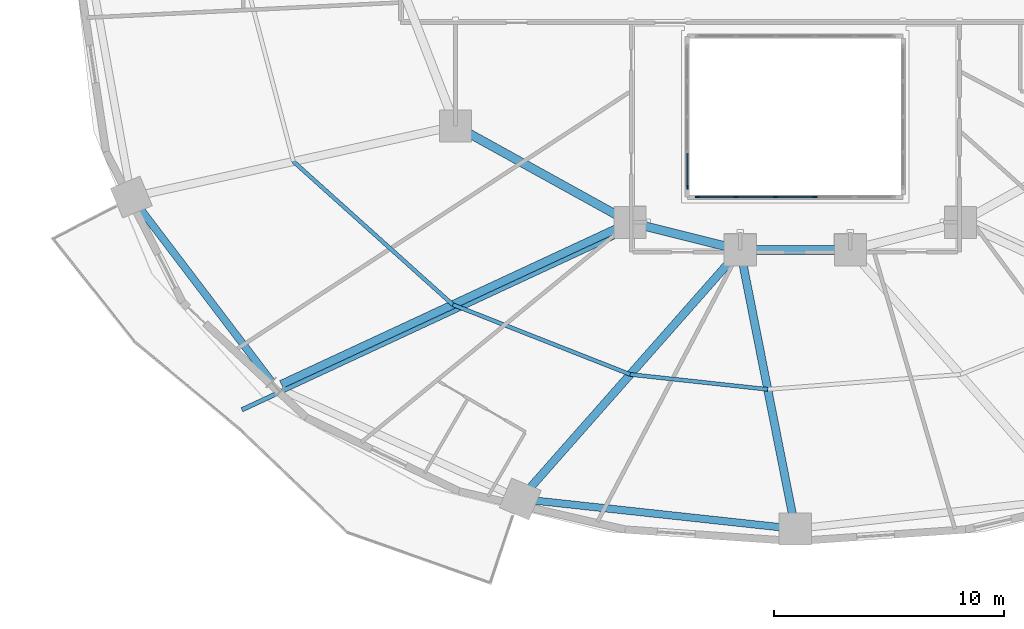
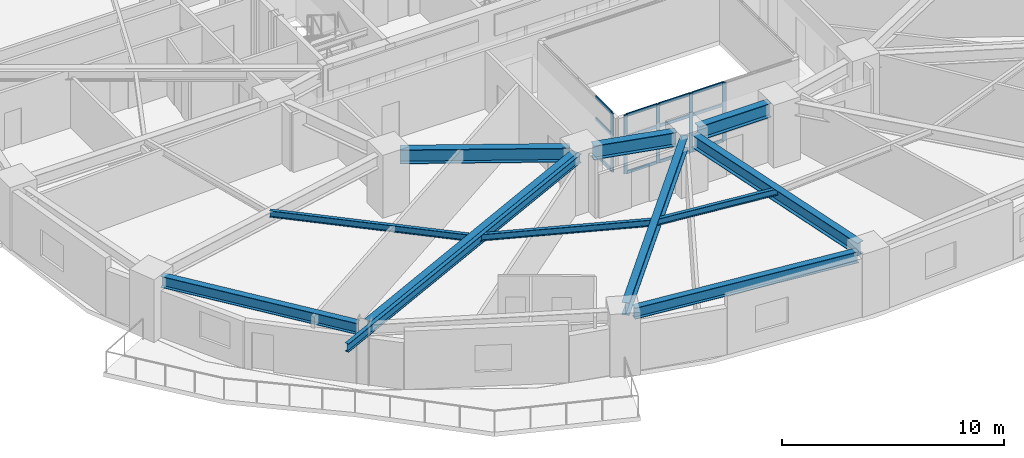
# One storey, part 3 of 17: 17 members, 12 beams, 2 elements without a shape of their own.
"""IFC4 building model written with IfcOpenShell, lengths in metres."""

from ifc_helpers import new_model, si_unit, direction, frame, origin, origin_2d, place, context, subcontext, project, spatial, rectangle, i_section, extrude, material, material_profile, profile_set, type_object, element, aggregate, save


model = new_model("IFC4")

# Units and contexts
model_context = context("Model", 3, precision=1e-05, world=origin(), true_north=direction((0.0, 1.0)))
body_context = subcontext(model_context, "Body", "Model", "MODEL_VIEW")
ifc_project = project(units=[si_unit("LENGTHUNIT", "METRE"), si_unit("AREAUNIT", "SQUARE_METRE"), si_unit("VOLUMEUNIT", "CUBIC_METRE"), si_unit("PLANEANGLEUNIT", "RADIAN"), si_unit("MASSUNIT", "GRAM", prefix="KILO")], contexts=[model_context])

# Site, building, storey
site_placement = place(None, origin())
site = spatial("IfcSite", under=ifc_project, at=site_placement, CompositionType="ELEMENT")
building_placement = place(site_placement, origin())
building = spatial("IfcBuilding", under=site, at=building_placement, Name="Haldorwick Loom Tower", CompositionType="ELEMENT")
storey_placement = place(building_placement, frame((0.0, 0.0, 61.949951171875)))
storey = spatial("IfcBuildingStorey", under=building, at=storey_placement, Name="L16", CompositionType="ELEMENT", Elevation=61.949951171875)

# Curtain wall, members
ifc_material_1 = material(Name="Thermally Broken Anodized Aluminium Curtain Wall Framing", Category="aluminium")
curtain_wall_type = type_object("IfcCurtainWallType", Name="ARC-CW-03", PredefinedType="NOTDEFINED", material=ifc_material_1)
curtain_wall_1_placement = place(storey_placement, origin())
curtain_wall_1 = element("IfcCurtainWall", 1, at=curtain_wall_1_placement, inside=storey, type_object=curtain_wall_type, Name="L16 Atrium Glazed Screen S", PredefinedType="NOTDEFINED")
ifc_material_profile_1 = material_profile(ifc_material_1, rectangle(XDim=0.06591796875, YDim=0.18505859375, at=origin_2d()), Name="ALU_MUL_66X185", Category="aluminium")
ifc_profile_set_1 = profile_set([ifc_material_profile_1], Name="Thermally Broken Anodized Aluminium Curtain Wall Framing")
member_type_1 = type_object("IfcMemberType", Name="ARC-CWM-03", PredefinedType="MULLION", material=ifc_profile_set_1)
member_1_placement = place(storey_placement, frame((36.860107421875, 16.699951171875, 0.0), z_axis=(0.0, 0.0, 1.0), x_axis=(0.0, -1.0, 0.0)))
member_1 = element("IfcMember", 2, at=member_1_placement, type_object=member_type_1, Name="CW-03 mullion 3", PredefinedType="MULLION", context=body_context, shape_type="SweptSolid", body=[
    extrude(rectangle(XDim=0.06591796875, YDim=0.18505859375, at=origin_2d()), origin(), (0.0, 0.0, 1.0), 3.2099609375),
])
member_2_placement = place(storey_placement, frame((35.139892578125, 16.699951171875, 0.0), z_axis=(0.0, 0.0, 1.0), x_axis=(0.0, -1.0, 0.0)))
member_2 = element("IfcMember", 3, at=member_2_placement, type_object=member_type_1, Name="CW-03 mullion 4", PredefinedType="MULLION", context=body_context, shape_type="SweptSolid", body=[
    extrude(rectangle(XDim=0.06591796875, YDim=0.18505859375, at=origin_2d()), origin(), (0.0, 0.0, 1.0), 3.2099609375),
])
member_3_placement = place(storey_placement, frame((33.419921875, 16.699951171875, 0.0), z_axis=(0.0, 0.0, 1.0), x_axis=(0.0, -1.0, 0.0)))
member_3 = element("IfcMember", 4, at=member_3_placement, type_object=member_type_1, Name="CW-03 mullion 5", PredefinedType="MULLION", context=body_context, shape_type="SweptSolid", body=[
    extrude(rectangle(XDim=0.06591796875, YDim=0.18505859375, at=origin_2d()), origin(), (0.0, 0.0, 1.0), 3.2099609375),
])
member_4_placement = place(storey_placement, frame((31.73291015625, 16.699951171875, 0.0), z_axis=(0.0, 0.0, 1.0), x_axis=(0.0, -1.0, 0.0)))
member_4 = element("IfcMember", 5, at=member_4_placement, type_object=member_type_1, Name="CW-03 mullion 6", PredefinedType="MULLION", context=body_context, shape_type="SweptSolid", body=[
    extrude(rectangle(XDim=0.06591796875, YDim=0.18505859375, at=origin_2d()), origin(), (0.0, 0.0, 1.0), 3.2099609375),
])

# Curtain wall, member
curtain_wall_2_placement = place(storey_placement, origin())
curtain_wall_2 = element("IfcCurtainWall", 6, at=curtain_wall_2_placement, inside=storey, type_object=curtain_wall_type, Name="L16 Atrium Glazed Screen W", PredefinedType="NOTDEFINED")
member_5_placement = place(storey_placement, frame((31.300048828125, 17.133056640625, 0.0), z_axis=(0.0, 0.0, 1.0), x_axis=(-1.0, 0.0, 0.0)))
member_5 = element("IfcMember", 7, at=member_5_placement, type_object=member_type_1, Name="CW-03 mullion 1", PredefinedType="MULLION", context=body_context, shape_type="SweptSolid", body=[
    extrude(rectangle(XDim=0.06591796875, YDim=0.18505859375, at=origin_2d()), origin(), (0.0, 0.0, 1.0), 3.2099609375),
])

# Member
ifc_material_profile_2 = material_profile(ifc_material_1, rectangle(XDim=0.06591796875, YDim=0.1650390625, at=origin_2d()), Name="ALU_TRN_66X165", Category="aluminium")
ifc_profile_set_2 = profile_set([ifc_material_profile_2], Name="Thermally Broken Anodized Aluminium Curtain Wall Framing")
member_type_2 = type_object("IfcMemberType", Name="ARC-CWT-03", PredefinedType="USERDEFINED", material=ifc_profile_set_2)
member_6_placement = place(storey_placement, frame((36.826904296875, 16.699951171875, 0.032958984375), z_axis=(-1.0, 0.0, 0.0), x_axis=(0.0, -1.0, 0.0)))
member_6 = element("IfcMember", 8, at=member_6_placement, type_object=member_type_2, Name="CW-03 transom 3.1", ObjectType="TRANSOM", PredefinedType="USERDEFINED", context=body_context, shape_type="SweptSolid", body=[
    extrude(rectangle(XDim=0.06591796875, YDim=0.1650390625, at=origin_2d()), origin(), (0.0, 0.0, 1.0), 1.65380859375),
])

member_7_placement = place(storey_placement, frame((36.826904296875, 16.699951171875, 2.0), z_axis=(-1.0, 0.0, 0.0), x_axis=(0.0, -1.0, 0.0)))
member_7 = element("IfcMember", 9, at=member_7_placement, type_object=member_type_2, Name="CW-03 transom 3.2", ObjectType="TRANSOM", PredefinedType="USERDEFINED", context=body_context, shape_type="SweptSolid", body=[
    extrude(rectangle(XDim=0.06591796875, YDim=0.1650390625, at=origin_2d()), origin(), (0.0, 0.0, 1.0), 1.65380859375),
])

member_8_placement = place(storey_placement, frame((36.826904296875, 16.699951171875, 3.177001953125), z_axis=(-1.0, 0.0, 0.0), x_axis=(0.0, -1.0, 0.0)))
member_8 = element("IfcMember", 10, at=member_8_placement, type_object=member_type_2, Name="CW-03 transom 3.3", ObjectType="TRANSOM", PredefinedType="USERDEFINED", context=body_context, shape_type="SweptSolid", body=[
    extrude(rectangle(XDim=0.06591796875, YDim=0.1650390625, at=origin_2d()), origin(), (0.0, 0.0, 1.0), 1.65380859375),
])

member_9_placement = place(storey_placement, frame((35.10693359375, 16.699951171875, 0.032958984375), z_axis=(-1.0, 0.0, 0.0), x_axis=(0.0, -1.0, 0.0)))
member_9 = element("IfcMember", 11, at=member_9_placement, type_object=member_type_2, Name="CW-03 transom 4.1", ObjectType="TRANSOM", PredefinedType="USERDEFINED", context=body_context, shape_type="SweptSolid", body=[
    extrude(rectangle(XDim=0.06591796875, YDim=0.1650390625, at=origin_2d()), origin(), (0.0, 0.0, 1.0), 1.654052734375),
])

member_10_placement = place(storey_placement, frame((35.10693359375, 16.699951171875, 2.0), z_axis=(-1.0, 0.0, 0.0), x_axis=(0.0, -1.0, 0.0)))
member_10 = element("IfcMember", 12, at=member_10_placement, type_object=member_type_2, Name="CW-03 transom 4.2", ObjectType="TRANSOM", PredefinedType="USERDEFINED", context=body_context, shape_type="SweptSolid", body=[
    extrude(rectangle(XDim=0.06591796875, YDim=0.1650390625, at=origin_2d()), origin(), (0.0, 0.0, 1.0), 1.654052734375),
])

member_11_placement = place(storey_placement, frame((35.10693359375, 16.699951171875, 3.177001953125), z_axis=(-1.0, 0.0, 0.0), x_axis=(0.0, -1.0, 0.0)))
member_11 = element("IfcMember", 13, at=member_11_placement, type_object=member_type_2, Name="CW-03 transom 4.3", ObjectType="TRANSOM", PredefinedType="USERDEFINED", context=body_context, shape_type="SweptSolid", body=[
    extrude(rectangle(XDim=0.06591796875, YDim=0.1650390625, at=origin_2d()), origin(), (0.0, 0.0, 1.0), 1.654052734375),
])

member_12_placement = place(storey_placement, frame((33.386962890625, 16.699951171875, 0.032958984375), z_axis=(-1.0, 0.0, 0.0), x_axis=(0.0, -1.0, 0.0)))
member_12 = element("IfcMember", 14, at=member_12_placement, type_object=member_type_2, Name="CW-03 transom 5.1", ObjectType="TRANSOM", PredefinedType="USERDEFINED", context=body_context, shape_type="SweptSolid", body=[
    extrude(rectangle(XDim=0.06591796875, YDim=0.1650390625, at=origin_2d()), origin(), (0.0, 0.0, 1.0), 1.620849609375),
])

member_13_placement = place(storey_placement, frame((33.386962890625, 16.699951171875, 2.0), z_axis=(-1.0, 0.0, 0.0), x_axis=(0.0, -1.0, 0.0)))
member_13 = element("IfcMember", 15, at=member_13_placement, type_object=member_type_2, Name="CW-03 transom 5.2", ObjectType="TRANSOM", PredefinedType="USERDEFINED", context=body_context, shape_type="SweptSolid", body=[
    extrude(rectangle(XDim=0.06591796875, YDim=0.1650390625, at=origin_2d()), origin(), (0.0, 0.0, 1.0), 1.620849609375),
])

member_14_placement = place(storey_placement, frame((33.386962890625, 16.699951171875, 3.177001953125), z_axis=(-1.0, 0.0, 0.0), x_axis=(0.0, -1.0, 0.0)))
member_14 = element("IfcMember", 16, at=member_14_placement, type_object=member_type_2, Name="CW-03 transom 5.3", ObjectType="TRANSOM", PredefinedType="USERDEFINED", context=body_context, shape_type="SweptSolid", body=[
    extrude(rectangle(XDim=0.06591796875, YDim=0.1650390625, at=origin_2d()), origin(), (0.0, 0.0, 1.0), 1.620849609375),
])

aggregate(curtain_wall_1, [member_1, member_2, member_3, member_4, member_6, member_7, member_8, member_9, member_10, member_11, member_12, member_13, member_14])

member_15_placement = place(storey_placement, frame((31.300048828125, 17.166015625, 0.032958984375), z_axis=(0.0, 1.0, 0.0), x_axis=(-1.0, 0.0, 0.0)))
member_15 = element("IfcMember", 17, at=member_15_placement, type_object=member_type_2, Name="CW-03 transom 1.1", ObjectType="TRANSOM", PredefinedType="USERDEFINED", context=body_context, shape_type="SweptSolid", body=[
    extrude(rectangle(XDim=0.06591796875, YDim=0.1650390625, at=origin_2d()), origin(), (0.0, 0.0, 1.0), 1.450927734375),
])

member_16_placement = place(storey_placement, frame((31.300048828125, 17.166015625, 2.0), z_axis=(0.0, 1.0, 0.0), x_axis=(-1.0, 0.0, 0.0)))
member_16 = element("IfcMember", 18, at=member_16_placement, type_object=member_type_2, Name="CW-03 transom 1.2", ObjectType="TRANSOM", PredefinedType="USERDEFINED", context=body_context, shape_type="SweptSolid", body=[
    extrude(rectangle(XDim=0.06591796875, YDim=0.1650390625, at=origin_2d()), origin(), (0.0, 0.0, 1.0), 1.450927734375),
])

member_17_placement = place(storey_placement, frame((31.300048828125, 17.166015625, 3.177001953125), z_axis=(0.0, 1.0, 0.0), x_axis=(-1.0, 0.0, 0.0)))
member_17 = element("IfcMember", 19, at=member_17_placement, type_object=member_type_2, Name="CW-03 transom 1.3", ObjectType="TRANSOM", PredefinedType="USERDEFINED", context=body_context, shape_type="SweptSolid", body=[
    extrude(rectangle(XDim=0.06591796875, YDim=0.1650390625, at=origin_2d()), origin(), (0.0, 0.0, 1.0), 1.450927734375),
])

aggregate(curtain_wall_2, [member_5, member_15, member_16, member_17])

# Beams
ifc_material_2 = material(Name="Steel CSA G40.21 350W", Category="steel")
ifc_material_profile_3 = material_profile(ifc_material_2, i_section(OverallWidth=0.193115234375, OverallDepth=0.466064453125, WebThickness=0.011474609375, FlangeThickness=0.01904296875, at=origin_2d()), Name="W460X97", Category="steel")
ifc_profile_set_3 = profile_set([ifc_material_profile_3], Name="Steel CSA G40.21 350W")
beam_type_1 = type_object("IfcBeamType", Name="STR-BM-BAL460", PredefinedType="BEAM", material=ifc_profile_set_3)
beam_1_placement = place(storey_placement, frame((28.446533203125, 15.126953125, 2.97705078125), z_axis=(-0.906840784049, -0.421473359047, 0.0), x_axis=(0.421473359047, -0.906840784049, 0.0)))
element("IfcBeam", 20, at=beam_1_placement, inside=storey, type_object=beam_type_1, Name="L16 Continuous Back-Spanned Balcony Beam 2", PredefinedType="BEAM", context=body_context, shape_type="SweptSolid", body=[
    extrude(i_section(OverallWidth=0.193115234375, OverallDepth=0.466064453125, WebThickness=0.011474609375, FlangeThickness=0.01904296875, at=origin_2d()), origin(), (0.0, 0.0, 1.0), 18.245361328125),
])
ifc_material_profile_4 = material_profile(ifc_material_2, i_section(OverallWidth=0.172119140625, OverallDepth=0.35791015625, WebThickness=0.0078125, FlangeThickness=0.01318359375, at=origin_2d()), Name="W360X57", Category="steel")
ifc_profile_set_4 = profile_set([ifc_material_profile_4], Name="Steel CSA G40.21 350W")
beam_type_2 = type_object("IfcBeamType", Name="STR-BM-J360", PredefinedType="JOIST", material=ifc_profile_set_4)
beam_2_placement = place(storey_placement, frame((14.141357421875, 18.25048828125, 3.031005859375), z_axis=(0.743981830112, -0.668199847698, 0.0), x_axis=(0.668199847698, 0.743981830112, 0.0)))
element("IfcBeam", 21, at=beam_2_placement, inside=storey, type_object=beam_type_2, Name="L16 Mid-Bay Secondary Joist 10", PredefinedType="JOIST", context=body_context, shape_type="SweptSolid", body=[
    extrude(i_section(OverallWidth=0.172119140625, OverallDepth=0.35791015625, WebThickness=0.0078125, FlangeThickness=0.01318359375, at=origin_2d()), origin(), (0.0, 0.0, 1.0), 9.3330078125),
])
beam_3_placement = place(storey_placement, frame((21.0849609375, 12.01416015625, 3.031005859375), z_axis=(0.930584838237, -0.366076301941, 0.0), x_axis=(0.366076301941, 0.930584838237, 0.0)))
element("IfcBeam", 22, at=beam_3_placement, inside=storey, type_object=beam_type_2, Name="L16 Mid-Bay Secondary Joist 11", PredefinedType="JOIST", context=body_context, shape_type="SweptSolid", body=[
    extrude(i_section(OverallWidth=0.172119140625, OverallDepth=0.35791015625, WebThickness=0.0078125, FlangeThickness=0.01318359375, at=origin_2d()), origin(), (0.0, 0.0, 1.0), 8.302490234375),
])
beam_4_placement = place(storey_placement, frame((28.81103515625, 8.974853515625, 3.031005859375), z_axis=(0.994163660215, -0.107882420753, 0.0), x_axis=(0.107882420753, 0.994163660215, 0.0)))
element("IfcBeam", 23, at=beam_4_placement, inside=storey, type_object=beam_type_2, Name="L16 Mid-Bay Secondary Joist 12", PredefinedType="JOIST", context=body_context, shape_type="SweptSolid", body=[
    extrude(i_section(OverallWidth=0.172119140625, OverallDepth=0.35791015625, WebThickness=0.0078125, FlangeThickness=0.01318359375, at=origin_2d()), origin(), (0.0, 0.0, 1.0), 6.024169921875),
])
ifc_material_profile_5 = material_profile(ifc_material_2, i_section(OverallWidth=0.324951171875, OverallDepth=0.615966796875, WebThickness=0.013916015625, FlangeThickness=0.021484375, at=origin_2d()), Name="W610X174", Category="steel")
ifc_profile_set_5 = profile_set([ifc_material_profile_5], Name="Steel CSA G40.21 350W")
beam_type_3 = type_object("IfcBeamType", Name="STR-BM-SP610", PredefinedType="SPANDREL", material=ifc_profile_set_5)
beam_5_placement = place(storey_placement, frame((7.397216796875, 16.286865234375, 2.902099609375), z_axis=(0.605084557744, -0.796161213562, 0.0), x_axis=(0.796161213562, 0.605084557744, 0.0)))
element("IfcBeam", 24, at=beam_5_placement, inside=storey, type_object=beam_type_3, Name="L16 Perimeter Spandrel 10", PredefinedType="SPANDREL", context=body_context, shape_type="SweptSolid", body=[
    extrude(i_section(OverallWidth=0.324951171875, OverallDepth=0.615966796875, WebThickness=0.013916015625, FlangeThickness=0.021484375, at=origin_2d()), origin(), (0.0, 0.0, 1.0), 9.595703125),
])
beam_6_placement = place(storey_placement, frame((24.5390625, 3.49365234375, 2.902099609375), z_axis=(0.994164438636, -0.107875247167, 0.0), x_axis=(0.107875247167, 0.994164438636, 0.0)))
element("IfcBeam", 25, at=beam_6_placement, inside=storey, type_object=beam_type_3, Name="L16 Perimeter Spandrel 12", PredefinedType="SPANDREL", context=body_context, shape_type="SweptSolid", body=[
    extrude(i_section(OverallWidth=0.324951171875, OverallDepth=0.615966796875, WebThickness=0.013916015625, FlangeThickness=0.021484375, at=origin_2d()), origin(), (0.0, 0.0, 1.0), 11.008056640625),
])
ifc_material_profile_6 = material_profile(ifc_material_2, i_section(OverallWidth=0.35498046875, OverallDepth=0.695068359375, WebThickness=0.015380859375, FlangeThickness=0.02490234375, at=origin_2d()), Name="W690X217", Category="steel")
ifc_profile_set_6 = profile_set([ifc_material_profile_6], Name="Steel CSA G40.21 350W")
beam_type_4 = type_object("IfcBeamType", Name="STR-BM-W690", PredefinedType="BEAM", material=ifc_profile_set_6)
beam_7_placement = place(storey_placement, frame((28.328369140625, 15.380859375, 2.862548828125), z_axis=(-0.90683498532, -0.421485835349, 0.0), x_axis=(0.421485835349, -0.90683498532, 0.0)))
element("IfcBeam", 26, at=beam_7_placement, inside=storey, type_object=beam_type_4, Name="L16 Radial Floor Girder 11", PredefinedType="BEAM", context=body_context, shape_type="SweptSolid", body=[
    extrude(i_section(OverallWidth=0.35498046875, OverallDepth=0.695068359375, WebThickness=0.015380859375, FlangeThickness=0.02490234375, at=origin_2d()), origin(), (0.0, 0.0, 1.0), 16.220458984375),
])
beam_8_placement = place(storey_placement, frame((33.255859375, 14.01025390625, 2.862548828125), z_axis=(-0.661774304332, -0.749703121326, 0.0), x_axis=(0.749703121326, -0.661774304332, 0.0)))
element("IfcBeam", 27, at=beam_8_placement, inside=storey, type_object=beam_type_4, Name="L16 Radial Floor Girder 12", PredefinedType="BEAM", context=body_context, shape_type="SweptSolid", body=[
    extrude(i_section(OverallWidth=0.35498046875, OverallDepth=0.695068359375, WebThickness=0.015380859375, FlangeThickness=0.02490234375, at=origin_2d()), origin(), (0.0, 0.0, 1.0), 13.43310546875),
])
beam_9_placement = place(storey_placement, frame((33.70068359375, 13.889892578125, 2.862548828125), z_axis=(0.193785651115, -0.981043893729, 0.0), x_axis=(0.981043893729, 0.193785651115, 0.0)))
element("IfcBeam", 28, at=beam_9_placement, inside=storey, type_object=beam_type_4, Name="L16 Radial Floor Girder 13", PredefinedType="BEAM", context=body_context, shape_type="SweptSolid", body=[
    extrude(i_section(OverallWidth=0.35498046875, OverallDepth=0.695068359375, WebThickness=0.015380859375, FlangeThickness=0.02490234375, at=origin_2d()), origin(), (0.0, 0.0, 1.0), 11.344970703125),
])
ifc_material_profile_7 = material_profile(ifc_material_2, i_section(OverallWidth=0.381103515625, OverallDepth=0.77294921875, WebThickness=0.0166015625, FlangeThickness=0.027587890625, at=origin_2d()), Name="W760X257", Category="steel")
ifc_profile_set_7 = profile_set([ifc_material_profile_7], Name="Steel CSA G40.21 350W")
beam_type_5 = type_object("IfcBeamType", Name="STR-BM-W760", PredefinedType="BEAM", material=ifc_profile_set_7)
beam_10_placement = place(storey_placement, frame((37.8798828125, 14.39990234375, 2.823486328125), z_axis=(-1.0, 0.0, 0.0), x_axis=(0.0, -1.0, 0.0)))
element("IfcBeam", 29, at=beam_10_placement, inside=storey, type_object=beam_type_5, Name="L16 Inner Ring Girder 5", PredefinedType="BEAM", context=body_context, shape_type="SweptSolid", body=[
    extrude(i_section(OverallWidth=0.381103515625, OverallDepth=0.77294921875, WebThickness=0.0166015625, FlangeThickness=0.027587890625, at=origin_2d()), origin(), (0.0, 0.0, 1.0), 3.759765625),
])
beam_11_placement = place(storey_placement, frame((33.095458984375, 14.526123046875, 2.823486328125), z_axis=(-0.970142500145, 0.242535625036, 0.0), x_axis=(-0.242535625036, -0.970142500145, 0.0)))
element("IfcBeam", 30, at=beam_11_placement, inside=storey, type_object=beam_type_5, Name="L16 Inner Ring Girder 6", PredefinedType="BEAM", context=body_context, shape_type="SweptSolid", body=[
    extrude(i_section(OverallWidth=0.381103515625, OverallDepth=0.77294921875, WebThickness=0.0166015625, FlangeThickness=0.027587890625, at=origin_2d()), origin(), (0.0, 0.0, 1.0), 3.90771484375),
])
beam_12_placement = place(storey_placement, frame((28.344970703125, 15.8515625, 2.823486328125), z_axis=(-0.875244382146, 0.483680960471, 0.0), x_axis=(-0.483680960471, -0.875244382146, 0.0)))
element("IfcBeam", 31, at=beam_12_placement, inside=storey, type_object=beam_type_5, Name="L16 Inner Ring Girder 7", PredefinedType="BEAM", context=body_context, shape_type="SweptSolid", body=[
    extrude(i_section(OverallWidth=0.381103515625, OverallDepth=0.77294921875, WebThickness=0.0166015625, FlangeThickness=0.027587890625, at=origin_2d()), origin(), (0.0, 0.0, 1.0), 7.6435546875),
])

save(model, "model.ifc")
